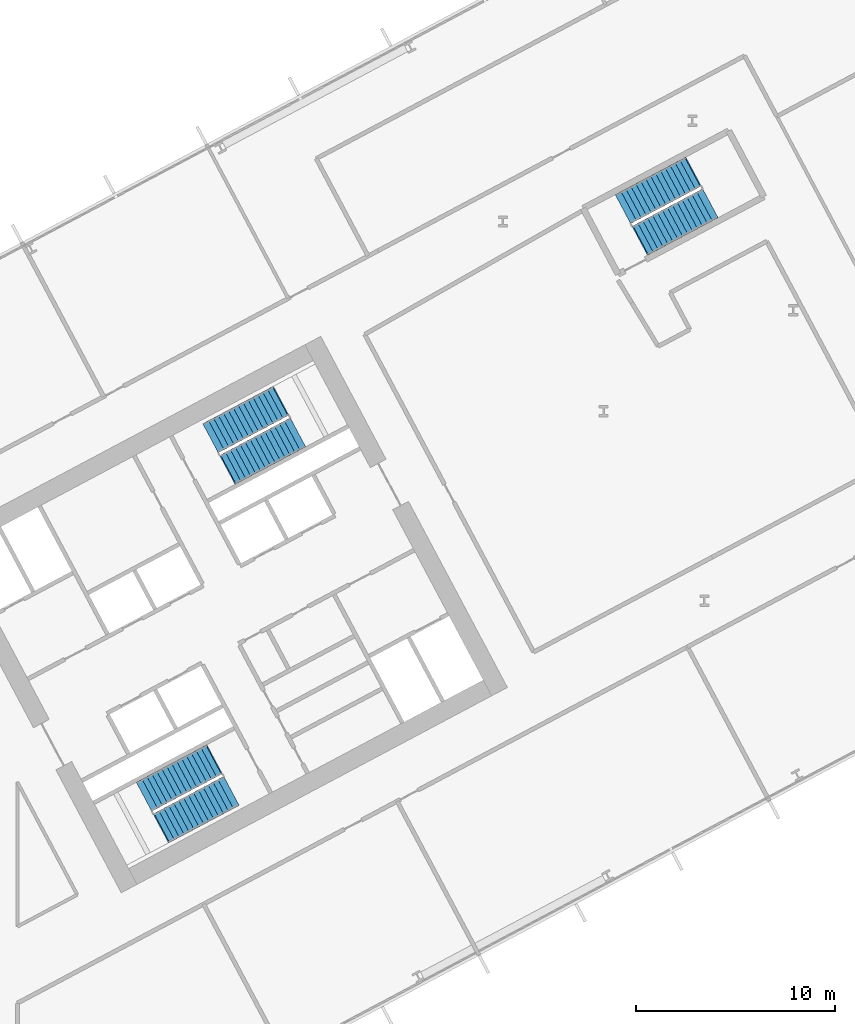
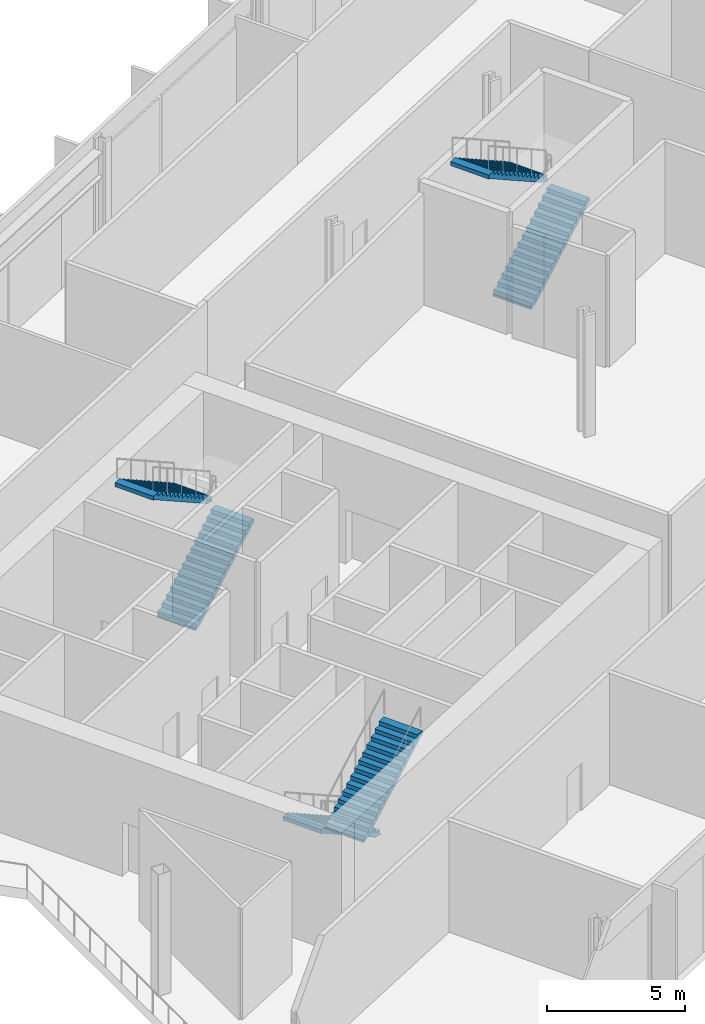
# One storey, part 18 of 30: 6 stair flights, 3 elements without a shape of their own.
"""IFC4 building model written with IfcOpenShell, lengths in metres."""

from ifc_helpers import new_model, si_unit, direction, frame, origin, place, context, subcontext, project, spatial, polyline, outline, extrude, material, type_object, element, aggregate, save


model = new_model("IFC4")

# Units and contexts
model_context = context("Model", 3, precision=1e-05, world=origin(), true_north=direction((0.0, 1.0)))
body_context = subcontext(model_context, "Body", "Model", "MODEL_VIEW")
ifc_project = project(units=[si_unit("LENGTHUNIT", "METRE"), si_unit("AREAUNIT", "SQUARE_METRE"), si_unit("VOLUMEUNIT", "CUBIC_METRE"), si_unit("PLANEANGLEUNIT", "RADIAN"), si_unit("MASSUNIT", "GRAM", prefix="KILO")], contexts=[model_context])

# Site, building, storey
site_placement = place(None, origin())
site = spatial("IfcSite", under=ifc_project, at=site_placement, CompositionType="ELEMENT")
building_placement = place(site_placement, origin())
building = spatial("IfcBuilding", under=site, at=building_placement, Name="Cormorant Relay Tower", CompositionType="ELEMENT")
storey_placement = place(building_placement, frame((0.0, 0.0, 44.60009765625)))
storey = spatial("IfcBuildingStorey", under=building, at=storey_placement, Name="L08", CompositionType="ELEMENT", Elevation=44.60009765625)

# Stair, stair flights
ifc_material_1 = material(Name="Concrete 40 MPa", Category="concrete")
stair_type = type_object("IfcStairType", Name="Exit stair 1500", PredefinedType="HALF_TURN_STAIR", material=ifc_material_1)
stair_1_placement = place(storey_placement, origin())
stair_1 = element("IfcStair", 1, at=stair_1_placement, inside=storey, type_object=stair_type, Name="L08 Stair", PredefinedType="HALF_TURN_STAIR")
ifc_material_2 = material(Name="Concrete 40 MPa", Category="concrete")
stair_flight_type = type_object("IfcStairFlightType", Name="Exit stair flight 1650", PredefinedType="STRAIGHT", material=ifc_material_2)
stair_flight_1_placement = place(storey_placement, frame((23.474365234375, 5.374755859375, 0.0), z_axis=(0.0, 0.0, 1.0), x_axis=(-0.882947592859, -0.469471562786, 0.0)))
stair_flight_1 = element("IfcStairFlight", 2, at=stair_flight_1_placement, type_object=stair_flight_type, Name="B1 flight 1", NumberOfRisers=15, NumberOfTreads=14, PredefinedType="STRAIGHT", RiserHeight=0.18, TreadLength=0.28, context=body_context, shape_type="SweptSolid", body=[
    extrude(outline(polyline([(-0.050048828125, -0.080078125), (-0.050048828125, 0.0), (0.0, 0.0), (0.0, 0.179931640625), (0.280029296875, 0.179931640625), (0.280029296875, 0.360107421875), (0.56005859375, 0.360107421875), (0.56005859375, 0.5400390625), (0.840087890625, 0.5400390625), (0.840087890625, 0.719970703125), (1.1201171875, 0.719970703125), (1.1201171875, 0.89990234375), (1.39990234375, 0.89990234375), (1.39990234375, 1.080078125), (1.679931640625, 1.080078125), (1.679931640625, 1.260009765625), (1.9599609375, 1.260009765625), (1.9599609375, 1.43994140625), (2.239990234375, 1.43994140625), (2.239990234375, 1.6201171875), (2.52001953125, 1.6201171875), (2.52001953125, 1.800048828125), (2.800048828125, 1.800048828125), (2.800048828125, 1.97998046875), (3.080078125, 1.97998046875), (3.080078125, 2.159912109375), (3.360107421875, 2.159912109375), (3.360107421875, 2.340087890625), (3.639892578125, 2.340087890625), (3.639892578125, 2.52001953125), (3.919921875, 2.52001953125), (3.969970703125, 2.52001953125), (3.969970703125, 2.341796875), (3.919921875, 2.341796875), (0.277099609375, 0.0), (-0.050048828125, -0.080078125)])), frame((0.0, 0.824951171875, 0.0), z_axis=(0.0, -1.0, 0.0), x_axis=(1.0, 0.0, 0.0)), (0.0, 0.0, 1.0), 1.64990234375),
])
stair_flight_2_placement = place(storey_placement, frame((20.8583984375, 1.945068359375, 2.699951171875), z_axis=(0.0, 0.0, 1.0), x_axis=(0.882947592859, 0.469471562786, 0.0)))
stair_flight_2 = element("IfcStairFlight", 3, at=stair_flight_2_placement, type_object=stair_flight_type, Name="B1 flight 2", NumberOfRisers=15, NumberOfTreads=14, PredefinedType="STRAIGHT", RiserHeight=0.18, TreadLength=0.28, context=body_context, shape_type="SweptSolid", body=[
    extrude(outline(polyline([(-0.050048828125, -0.080078125), (-0.050048828125, 0.0), (0.0, 0.0), (0.0, 0.179931640625), (0.280029296875, 0.179931640625), (0.280029296875, 0.360107421875), (0.56005859375, 0.360107421875), (0.56005859375, 0.5400390625), (0.840087890625, 0.5400390625), (0.840087890625, 0.719970703125), (1.1201171875, 0.719970703125), (1.1201171875, 0.89990234375), (1.39990234375, 0.89990234375), (1.39990234375, 1.080078125), (1.679931640625, 1.080078125), (1.679931640625, 1.260009765625), (1.9599609375, 1.260009765625), (1.9599609375, 1.43994140625), (2.239990234375, 1.43994140625), (2.239990234375, 1.6201171875), (2.52001953125, 1.6201171875), (2.52001953125, 1.800048828125), (2.800048828125, 1.800048828125), (2.800048828125, 1.97998046875), (3.080078125, 1.97998046875), (3.080078125, 2.159912109375), (3.360107421875, 2.159912109375), (3.360107421875, 2.340087890625), (3.639892578125, 2.340087890625), (3.639892578125, 2.52001953125), (3.919921875, 2.52001953125), (3.969970703125, 2.52001953125), (3.969970703125, 2.341796875), (3.919921875, 2.341796875), (0.277099609375, 0.0), (-0.050048828125, -0.080078125)])), frame((0.0, 0.824951171875, 0.0), z_axis=(0.0, -1.0, 0.0), x_axis=(1.0, 0.0, 0.0)), (0.0, 0.0, 1.0), 1.64990234375),
])
aggregate(stair_1, [stair_flight_1, stair_flight_2])

stair_2_placement = place(storey_placement, origin())
stair_2 = element("IfcStair", 4, at=stair_2_placement, inside=storey, type_object=stair_type, Name="L08 Stair", PredefinedType="HALF_TURN_STAIR")
stair_flight_3_placement = place(storey_placement, frame((24.20458984375, 19.976806640625, 0.0), z_axis=(0.0, 0.0, 1.0), x_axis=(0.882947592859, 0.469471562786, 0.0)))
stair_flight_3 = element("IfcStairFlight", 5, at=stair_flight_3_placement, type_object=stair_flight_type, Name="B2 flight 1", NumberOfRisers=15, NumberOfTreads=14, PredefinedType="STRAIGHT", RiserHeight=0.18, TreadLength=0.28, context=body_context, shape_type="SweptSolid", body=[
    extrude(outline(polyline([(-0.050048828125, -0.080078125), (-0.050048828125, 0.0), (0.0, 0.0), (0.0, 0.179931640625), (0.280029296875, 0.179931640625), (0.280029296875, 0.360107421875), (0.56005859375, 0.360107421875), (0.56005859375, 0.5400390625), (0.840087890625, 0.5400390625), (0.840087890625, 0.719970703125), (1.1201171875, 0.719970703125), (1.1201171875, 0.89990234375), (1.39990234375, 0.89990234375), (1.39990234375, 1.080078125), (1.679931640625, 1.080078125), (1.679931640625, 1.260009765625), (1.9599609375, 1.260009765625), (1.9599609375, 1.43994140625), (2.239990234375, 1.43994140625), (2.239990234375, 1.6201171875), (2.52001953125, 1.6201171875), (2.52001953125, 1.800048828125), (2.800048828125, 1.800048828125), (2.800048828125, 1.97998046875), (3.080078125, 1.97998046875), (3.080078125, 2.159912109375), (3.360107421875, 2.159912109375), (3.360107421875, 2.340087890625), (3.639892578125, 2.340087890625), (3.639892578125, 2.52001953125), (3.919921875, 2.52001953125), (3.969970703125, 2.52001953125), (3.969970703125, 2.341796875), (3.919921875, 2.341796875), (0.277099609375, 0.0), (-0.050048828125, -0.080078125)])), frame((0.0, 0.824951171875, 0.0), z_axis=(0.0, -1.0, 0.0), x_axis=(1.0, 0.0, 0.0)), (0.0, 0.0, 1.0), 1.64990234375),
])
stair_flight_4_placement = place(storey_placement, frame((26.82080078125, 23.406494140625, 2.699951171875), z_axis=(0.0, 0.0, 1.0), x_axis=(-0.882947592859, -0.469471562786, 0.0)))
stair_flight_4 = element("IfcStairFlight", 6, at=stair_flight_4_placement, type_object=stair_flight_type, Name="B2 flight 2", NumberOfRisers=15, NumberOfTreads=14, PredefinedType="STRAIGHT", RiserHeight=0.18, TreadLength=0.28, context=body_context, shape_type="SweptSolid", body=[
    extrude(outline(polyline([(-0.050048828125, -0.080078125), (-0.050048828125, 0.0), (0.0, 0.0), (0.0, 0.179931640625), (0.280029296875, 0.179931640625), (0.280029296875, 0.360107421875), (0.56005859375, 0.360107421875), (0.56005859375, 0.5400390625), (0.840087890625, 0.5400390625), (0.840087890625, 0.719970703125), (1.1201171875, 0.719970703125), (1.1201171875, 0.89990234375), (1.39990234375, 0.89990234375), (1.39990234375, 1.080078125), (1.679931640625, 1.080078125), (1.679931640625, 1.260009765625), (1.9599609375, 1.260009765625), (1.9599609375, 1.43994140625), (2.239990234375, 1.43994140625), (2.239990234375, 1.6201171875), (2.52001953125, 1.6201171875), (2.52001953125, 1.800048828125), (2.800048828125, 1.800048828125), (2.800048828125, 1.97998046875), (3.080078125, 1.97998046875), (3.080078125, 2.159912109375), (3.360107421875, 2.159912109375), (3.360107421875, 2.340087890625), (3.639892578125, 2.340087890625), (3.639892578125, 2.52001953125), (3.919921875, 2.52001953125), (3.969970703125, 2.52001953125), (3.969970703125, 2.341796875), (3.919921875, 2.341796875), (0.277099609375, 0.0), (-0.050048828125, -0.080078125)])), frame((0.0, 0.824951171875, 0.0), z_axis=(0.0, -1.0, 0.0), x_axis=(1.0, 0.0, 0.0)), (0.0, 0.0, 1.0), 1.64990234375),
])
aggregate(stair_2, [stair_flight_3, stair_flight_4])

stair_3_placement = place(storey_placement, origin())
stair_3 = element("IfcStair", 7, at=stair_3_placement, inside=storey, type_object=stair_type, Name="L08 Stair", PredefinedType="HALF_TURN_STAIR")
stair_flight_5_placement = place(storey_placement, frame((44.947509765625, 31.502197265625, 0.0), z_axis=(0.0, 0.0, 1.0), x_axis=(0.882947502727, 0.4694717323, 0.0)))
stair_flight_5 = element("IfcStairFlight", 8, at=stair_flight_5_placement, type_object=stair_flight_type, Name="RB1 flight 1", NumberOfRisers=15, NumberOfTreads=14, PredefinedType="STRAIGHT", RiserHeight=0.18, TreadLength=0.28, context=body_context, shape_type="SweptSolid", body=[
    extrude(outline(polyline([(-0.050048828125, -0.080078125), (-0.050048828125, 0.0), (0.0, 0.0), (0.0, 0.179931640625), (0.280029296875, 0.179931640625), (0.280029296875, 0.360107421875), (0.56005859375, 0.360107421875), (0.56005859375, 0.5400390625), (0.840087890625, 0.5400390625), (0.840087890625, 0.719970703125), (1.1201171875, 0.719970703125), (1.1201171875, 0.89990234375), (1.39990234375, 0.89990234375), (1.39990234375, 1.080078125), (1.679931640625, 1.080078125), (1.679931640625, 1.260009765625), (1.9599609375, 1.260009765625), (1.9599609375, 1.43994140625), (2.239990234375, 1.43994140625), (2.239990234375, 1.6201171875), (2.52001953125, 1.6201171875), (2.52001953125, 1.800048828125), (2.800048828125, 1.800048828125), (2.800048828125, 1.97998046875), (3.080078125, 1.97998046875), (3.080078125, 2.159912109375), (3.360107421875, 2.159912109375), (3.360107421875, 2.340087890625), (3.639892578125, 2.340087890625), (3.639892578125, 2.52001953125), (3.919921875, 2.52001953125), (3.969970703125, 2.52001953125), (3.969970703125, 2.341796875), (3.919921875, 2.341796875), (0.277099609375, 0.0), (-0.050048828125, -0.080078125)])), frame((0.0, 0.824951171875, 0.0), z_axis=(0.0, -1.0, 0.0), x_axis=(1.0, 0.0, 0.0)), (0.0, 0.0, 1.0), 1.64990234375),
])
stair_flight_6_placement = place(storey_placement, frame((47.563720703125, 34.931640625, 2.699951171875), z_axis=(0.0, 0.0, 1.0), x_axis=(-0.882947502727, -0.4694717323, 0.0)))
stair_flight_6 = element("IfcStairFlight", 9, at=stair_flight_6_placement, type_object=stair_flight_type, Name="RB1 flight 2", NumberOfRisers=15, NumberOfTreads=14, PredefinedType="STRAIGHT", RiserHeight=0.18, TreadLength=0.28, context=body_context, shape_type="SweptSolid", body=[
    extrude(outline(polyline([(-0.050048828125, -0.080078125), (-0.050048828125, 0.0), (0.0, 0.0), (0.0, 0.179931640625), (0.280029296875, 0.179931640625), (0.280029296875, 0.360107421875), (0.56005859375, 0.360107421875), (0.56005859375, 0.5400390625), (0.840087890625, 0.5400390625), (0.840087890625, 0.719970703125), (1.1201171875, 0.719970703125), (1.1201171875, 0.89990234375), (1.39990234375, 0.89990234375), (1.39990234375, 1.080078125), (1.679931640625, 1.080078125), (1.679931640625, 1.260009765625), (1.9599609375, 1.260009765625), (1.9599609375, 1.43994140625), (2.239990234375, 1.43994140625), (2.239990234375, 1.6201171875), (2.52001953125, 1.6201171875), (2.52001953125, 1.800048828125), (2.800048828125, 1.800048828125), (2.800048828125, 1.97998046875), (3.080078125, 1.97998046875), (3.080078125, 2.159912109375), (3.360107421875, 2.159912109375), (3.360107421875, 2.340087890625), (3.639892578125, 2.340087890625), (3.639892578125, 2.52001953125), (3.919921875, 2.52001953125), (3.969970703125, 2.52001953125), (3.969970703125, 2.341796875), (3.919921875, 2.341796875), (0.277099609375, 0.0), (-0.050048828125, -0.080078125)])), frame((0.0, 0.824951171875, 0.0), z_axis=(0.0, -1.0, 0.0), x_axis=(1.0, 0.0, 0.0)), (0.0, 0.0, 1.0), 1.64990234375),
])
aggregate(stair_3, [stair_flight_5, stair_flight_6])

save(model, "model.ifc")
